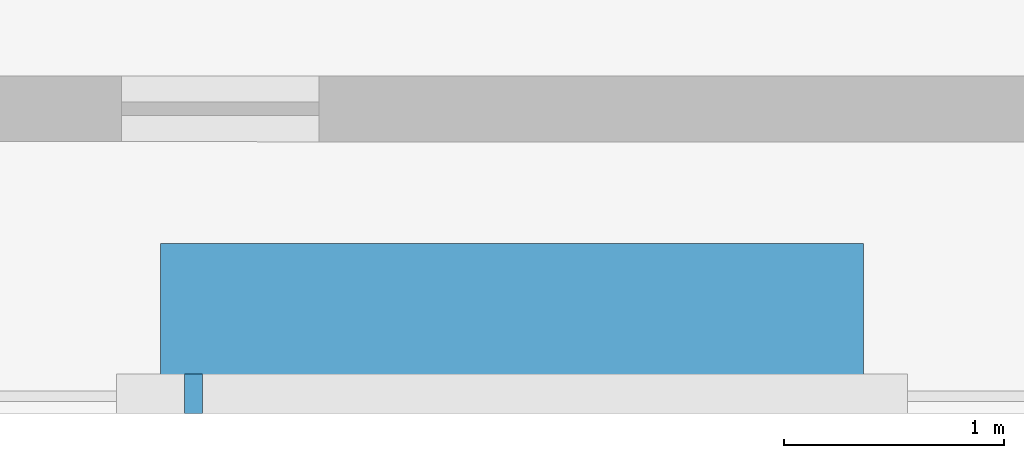
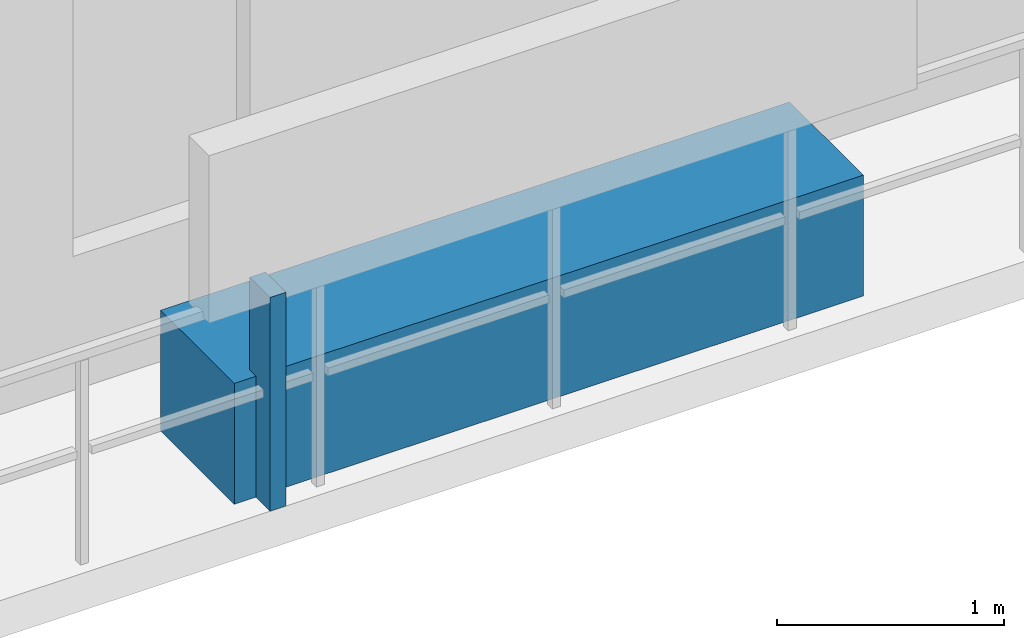
# One storey, part 27 of 32: 2 discrete accessories.
"""IFC4 building model written with IfcOpenShell, lengths in metres."""

from ifc_helpers import new_model, si_unit, direction, frame, origin, origin_2d, place, context, subcontext, project, spatial, rectangle, extrude, material, type_object, element, save


model = new_model("IFC4")

# Units and contexts
model_context = context("Model", 3, precision=1e-05, world=origin(), true_north=direction((0.0, 1.0)))
body_context = subcontext(model_context, "Body", "Model", "MODEL_VIEW")
ifc_project = project(units=[si_unit("LENGTHUNIT", "METRE"), si_unit("AREAUNIT", "SQUARE_METRE"), si_unit("VOLUMEUNIT", "CUBIC_METRE"), si_unit("PLANEANGLEUNIT", "RADIAN"), si_unit("MASSUNIT", "GRAM", prefix="KILO")], contexts=[model_context])

# Site, building, storey
site_placement = place(None, origin())
site = spatial("IfcSite", under=ifc_project, at=site_placement, CompositionType="ELEMENT")
building_placement = place(site_placement, origin())
building = spatial("IfcBuilding", under=site, at=building_placement, Name="Thornwick Lancets Civic Towers", CompositionType="ELEMENT")
storey_placement = place(building_placement, frame((0.0, 0.0, 156.300048828125)))
storey = spatial("IfcBuildingStorey", under=building, at=storey_placement, Name="L41", CompositionType="ELEMENT", Elevation=156.300048828125)

# Discrete accessories
ifc_material_1 = material(Name="Planted terracotta greenery planter", Category="masonry")
discrete_accessory_type_1 = type_object("IfcDiscreteAccessoryType", Name="ACC_PLANTER_BOX", PredefinedType="USERDEFINED", material=ifc_material_1)
discrete_accessory_1_placement = place(storey_placement, frame((25.5, 2.300048828125, 0.0), z_axis=(0.0, 0.0, 1.0), x_axis=(1.0, 0.0, 0.0)))
element("IfcDiscreteAccessory", 1, at=discrete_accessory_1_placement, inside=storey, type_object=discrete_accessory_type_1, Name="L41 Tower A Balcony Greenery Planter S", ObjectType="PLANTER", PredefinedType="USERDEFINED", context=body_context, shape_type="SweptSolid", body=[
    extrude(rectangle(XDim=3.199951171875, YDim=0.64990234375, at=origin_2d()), origin(), (0.0, 0.0, 1.0), 0.64990234375),
])
ifc_material_2 = material(Name="Stainless steel S355", Category="steel")
discrete_accessory_type_2 = type_object("IfcDiscreteAccessoryType", Name="ACC_SCREEN_BRACKET", PredefinedType="BRACKET", material=ifc_material_2)
discrete_accessory_2_placement = place(storey_placement, frame((24.050048828125, 1.93994140625, 0.0), z_axis=(0.0, 0.0, 1.0), x_axis=(1.0, 0.0, 0.0)))
element("IfcDiscreteAccessory", 2, at=discrete_accessory_2_placement, inside=storey, type_object=discrete_accessory_type_2, Name="L41 Tower A Balcony Screen Stanchion Bracket S-1", PredefinedType="BRACKET", context=body_context, shape_type="SweptSolid", body=[
    extrude(rectangle(XDim=0.080078125, YDim=0.179931640625, at=origin_2d()), origin(), (0.0, 0.0, 1.0), 1.14990234375),
])

save(model, "model.ifc")
